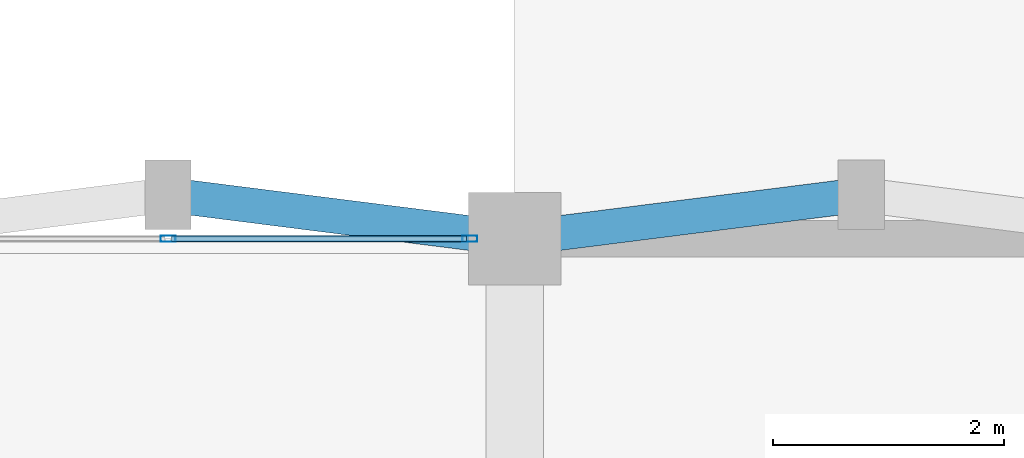
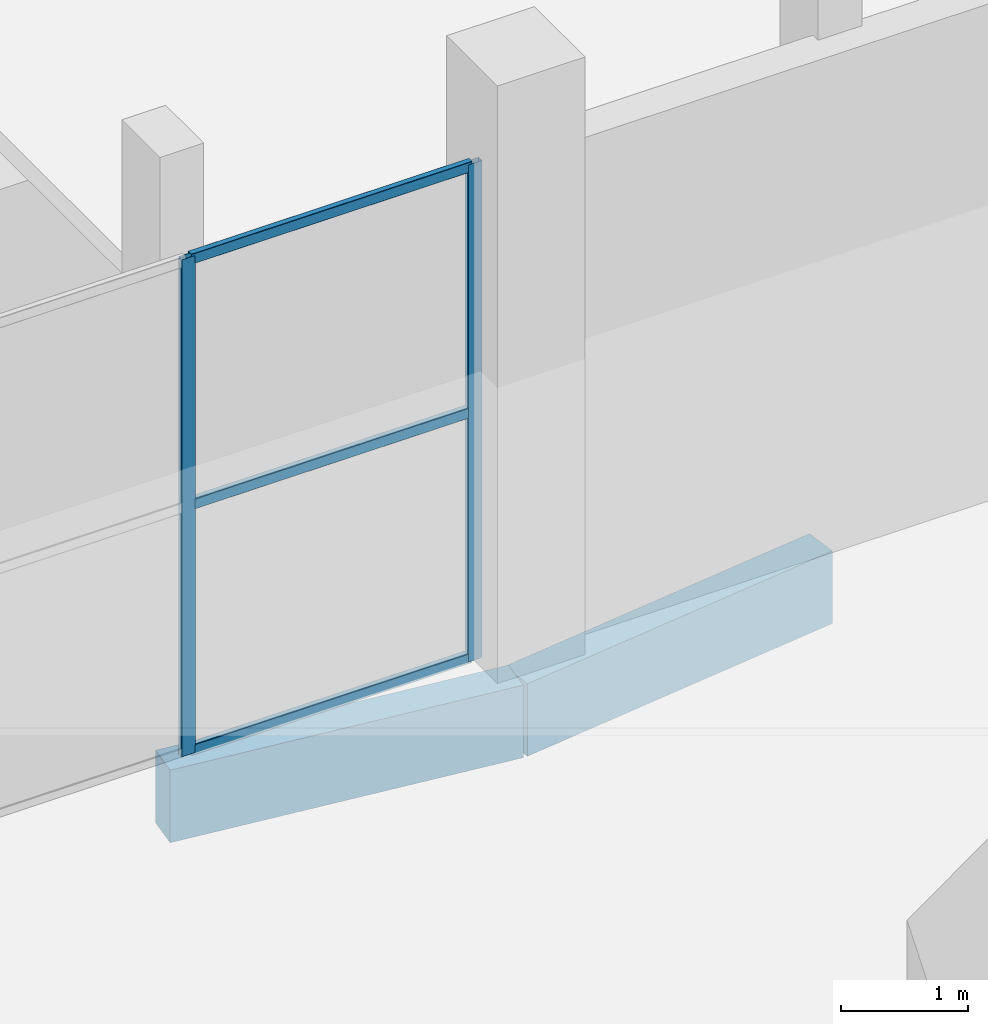
# One storey, part 39 of 103: 5 members, 2 beams, 1 element without a shape of its own.
"""IFC4 building model written with IfcOpenShell, lengths in metres."""

from ifc_helpers import new_model, si_unit, direction, frame, origin, origin_2d, place, context, subcontext, project, spatial, rectangle, hollow_rectangle, extrude, material, layer, layer_set, material_profile, profile_set, type_object, element, aggregate, save


model = new_model("IFC4")

# Units and contexts
model_context = context("Model", 3, precision=1e-05, world=origin(), true_north=direction((0.0, 1.0)))
body_context = subcontext(model_context, "Body", "Model", "MODEL_VIEW")
ifc_project = project(units=[si_unit("LENGTHUNIT", "METRE"), si_unit("AREAUNIT", "SQUARE_METRE"), si_unit("VOLUMEUNIT", "CUBIC_METRE"), si_unit("PLANEANGLEUNIT", "RADIAN"), si_unit("MASSUNIT", "GRAM", prefix="KILO")], contexts=[model_context])

# Site, building, storey
site_placement = place(None, origin())
site = spatial("IfcSite", under=ifc_project, at=site_placement, CompositionType="ELEMENT")
building_placement = place(site_placement, origin())
building = spatial("IfcBuilding", under=site, at=building_placement, Name="Dunvalen Ferry Terminal", CompositionType="ELEMENT")
storey_placement = place(building_placement, origin())
storey = spatial("IfcBuildingStorey", under=building, at=storey_placement, Name="L00", CompositionType="ELEMENT", Elevation=0.0)

# Curtain wall, members
ifc_material_1 = material(Name="Anodised marine aluminium and solar-control glazing", Category="aluminium")
ifc_layer = layer(ifc_material_1, 0.14990234375, Name="Anodised marine aluminium and solar-control glazing")
ifc_layer_set = layer_set([ifc_layer], Name="Anodised marine aluminium and solar-control glazing")
curtain_wall_type = type_object("IfcCurtainWallType", Name="ENV-CW-SYS-11", PredefinedType="NOTDEFINED", material=ifc_layer_set)
curtain_wall_placement = place(storey_placement, origin())
curtain_wall = element("IfcCurtainWall", 1, at=curtain_wall_placement, inside=storey, type_object=curtain_wall_type, Name="L00 Curtain Wall CW-V5CORE-L00-7-9", PredefinedType="NOTDEFINED")
ifc_material_2 = material(Name="Anodised marine aluminium EN AW-6063 T6", Category="aluminium")
ifc_material_profile_1 = material_profile(ifc_material_2, hollow_rectangle(XDim=0.054931640625, YDim=0.1298828125, WallThickness=0.003173828125, InnerFilletRadius=0.003173828125, OuterFilletRadius=0.00634765625, at=origin_2d()), Name="Anodised marine aluminium EN AW-6063 T6")
ifc_profile_set_1 = profile_set([ifc_material_profile_1], Name="Anodised marine aluminium EN AW-6063 T6")
member_type_1 = type_object("IfcMemberType", Name="ENV-CW-MUL-4", PredefinedType="MULLION", material=ifc_profile_set_1)
member_1_placement = place(storey_placement, frame((35.612548828125, 36.0, 0.0), z_axis=(0.0, 0.0, 1.0), x_axis=(0.0, -1.0, 0.0)))
member_1 = element("IfcMember", 2, at=member_1_placement, type_object=member_type_1, Name="CW-11 mullion 1", PredefinedType="MULLION", context=body_context, shape_type="SweptSolid", body=[
    extrude(hollow_rectangle(XDim=0.054931640625, YDim=0.1298828125, WallThickness=0.003173828125, InnerFilletRadius=0.003173828125, OuterFilletRadius=0.00634765625, at=origin_2d()), origin(), (0.0, 0.0, 1.0), 4.7900390625),
])
member_2_placement = place(storey_placement, frame((33.0, 36.0, 0.0), z_axis=(0.0, 0.0, 1.0), x_axis=(0.0, -1.0, 0.0)))
member_2 = element("IfcMember", 3, at=member_2_placement, type_object=member_type_1, Name="CW-11 mullion 2", PredefinedType="MULLION", context=body_context, shape_type="SweptSolid", body=[
    extrude(hollow_rectangle(XDim=0.054931640625, YDim=0.1298828125, WallThickness=0.003173828125, InnerFilletRadius=0.003173828125, OuterFilletRadius=0.00634765625, at=origin_2d()), origin(), (0.0, 0.0, 1.0), 4.7900390625),
])
ifc_material_profile_2 = material_profile(ifc_material_2, hollow_rectangle(XDim=0.054931640625, YDim=0.10009765625, WallThickness=0.0029296875, InnerFilletRadius=0.0029296875, OuterFilletRadius=0.006103515625, at=origin_2d()), Name="Anodised marine aluminium EN AW-6063 T6")
ifc_profile_set_2 = profile_set([ifc_material_profile_2], Name="Anodised marine aluminium EN AW-6063 T6")
member_type_2 = type_object("IfcMemberType", Name="ENV-CW-TRN-4", PredefinedType="USERDEFINED", material=ifc_profile_set_2)
member_3_placement = place(storey_placement, frame((35.5849609375, 36.0, 0.027587890625), z_axis=(-1.0, 0.0, 0.0), x_axis=(0.0, -1.0, 0.0)))
member_3 = element("IfcMember", 4, at=member_3_placement, type_object=member_type_2, Name="CW-11 transom 1.1", ObjectType="TRANSOM", PredefinedType="USERDEFINED", context=body_context, shape_type="SweptSolid", body=[
    extrude(hollow_rectangle(XDim=0.054931640625, YDim=0.10009765625, WallThickness=0.0029296875, InnerFilletRadius=0.0029296875, OuterFilletRadius=0.006103515625, at=origin_2d()), origin(), (0.0, 0.0, 1.0), 2.557373046875),
])
member_4_placement = place(storey_placement, frame((35.5849609375, 36.0, 2.39501953125), z_axis=(-1.0, 0.0, 0.0), x_axis=(0.0, -1.0, 0.0)))
member_4 = element("IfcMember", 5, at=member_4_placement, type_object=member_type_2, Name="CW-11 transom 1.2", ObjectType="TRANSOM", PredefinedType="USERDEFINED", context=body_context, shape_type="SweptSolid", body=[
    extrude(hollow_rectangle(XDim=0.054931640625, YDim=0.10009765625, WallThickness=0.0029296875, InnerFilletRadius=0.0029296875, OuterFilletRadius=0.006103515625, at=origin_2d()), origin(), (0.0, 0.0, 1.0), 2.557373046875),
])
member_5_placement = place(storey_placement, frame((35.5849609375, 36.0, 4.762451171875), z_axis=(-1.0, 0.0, 0.0), x_axis=(0.0, -1.0, 0.0)))
member_5 = element("IfcMember", 6, at=member_5_placement, type_object=member_type_2, Name="CW-11 transom 1.3", ObjectType="TRANSOM", PredefinedType="USERDEFINED", context=body_context, shape_type="SweptSolid", body=[
    extrude(hollow_rectangle(XDim=0.054931640625, YDim=0.10009765625, WallThickness=0.0029296875, InnerFilletRadius=0.0029296875, OuterFilletRadius=0.006103515625, at=origin_2d()), origin(), (0.0, 0.0, 1.0), 2.557373046875),
])
aggregate(curtain_wall, [member_1, member_2, member_3, member_4, member_5])

# Beams
ifc_material_3 = material(Name="Concrete C40/50", Category="concrete")
ifc_material_profile_3 = material_profile(ifc_material_3, rectangle(XDim=0.300048828125, YDim=0.699951171875, at=origin_2d()), Name="Concrete C40/50")
ifc_profile_set_3 = profile_set([ifc_material_profile_3], Name="Concrete C40/50")
beam_type = type_object("IfcBeamType", Name="STR-BM-RCSP700", PredefinedType="SPANDREL", material=ifc_profile_set_3)
for number, where, z_axis, x_axis, name in (
    (7, (33.0, 36.3798828125, -0.64990234375), (0.992077869489, -0.12562444376, 0.0), (0.12562444376, 0.992077869489, 0.0), "L00 Passage Pilaster Spandrel Tie 04.2"),
    (8, (36.0, 36.0, -0.64990234375), (0.992077869489, 0.12562444376, 0.0), (-0.12562444376, 0.992077869489, 0.0), "L00 Passage Pilaster Spandrel Tie 05.1"),
):
    element("IfcBeam", number, at=place(storey_placement, frame(where, z_axis=z_axis, x_axis=x_axis)), inside=storey, type_object=beam_type, Name=name, PredefinedType="SPANDREL", context=body_context, shape_type="SweptSolid", body=[
        extrude(rectangle(XDim=0.300048828125, YDim=0.699951171875, at=origin_2d()), origin(), (0.0, 0.0, 1.0), 3.02392578125),
    ])

save(model, "model.ifc")
